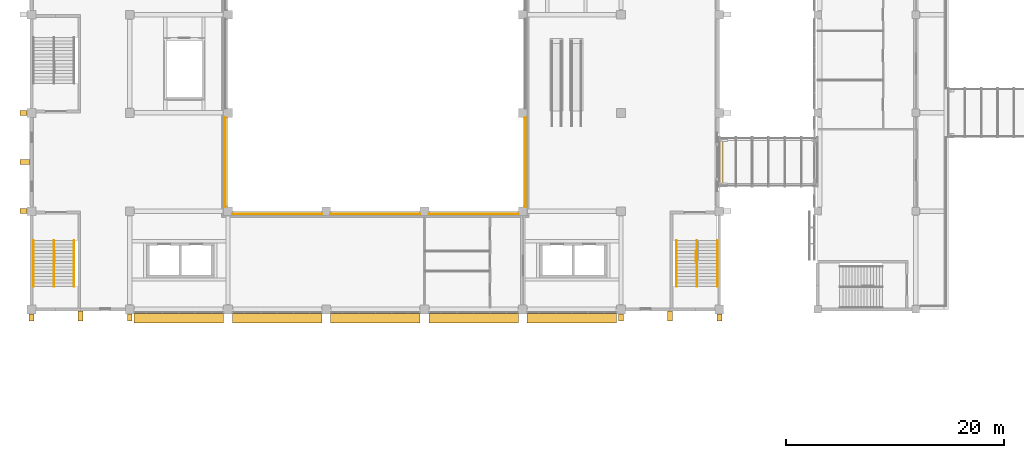
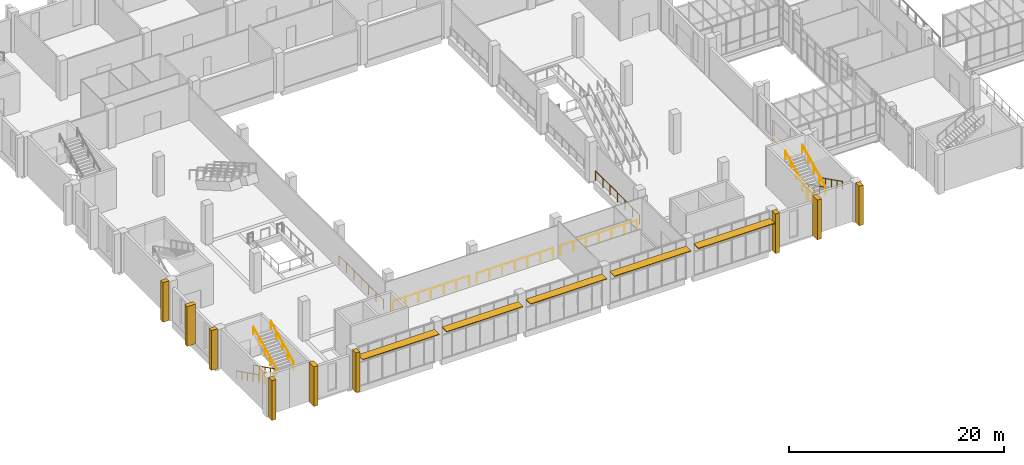
# One storey, part 96 of 106: 15 railings, 10 coverings, 5 shading devices.
"""IFC4 building model written with IfcOpenShell, lengths in metres."""

from ifc_helpers import new_model, si_unit, direction, frame, origin, origin_2d, place, context, subcontext, project, spatial, rectangle, circle, extrude, material, layer, layer_set, type_object, element, save


model = new_model("IFC4")

# Units and contexts
model_context = context("Model", 3, precision=1e-05, world=origin(), true_north=direction((0.0, 1.0)))
body_context = subcontext(model_context, "Body", "Model", "MODEL_VIEW")
ifc_project = project(units=[si_unit("LENGTHUNIT", "METRE"), si_unit("AREAUNIT", "SQUARE_METRE"), si_unit("VOLUMEUNIT", "CUBIC_METRE"), si_unit("PLANEANGLEUNIT", "RADIAN"), si_unit("MASSUNIT", "GRAM", prefix="KILO")], contexts=[model_context])

# Site, building, storey
site_placement = place(None, origin())
site = spatial("IfcSite", under=ifc_project, at=site_placement, CompositionType="ELEMENT")
building_placement = place(site_placement, origin())
building = spatial("IfcBuilding", under=site, at=building_placement, Name="Guidao Yard Department Store", CompositionType="ELEMENT")
storey_placement = place(building_placement, frame((0.0, 0.0, 10.5)))
storey = spatial("IfcBuildingStorey", under=building, at=storey_placement, Name="L02", CompositionType="ELEMENT", Elevation=10.5)

# Covering
ifc_material_1 = material(Name="Stainless steel 316", Category="steel")
ifc_layer_1 = layer(ifc_material_1, 0.010009765625)
ifc_layer_set_1 = layer_set([ifc_layer_1], Name="Bridge joint cover JC1 stainless steel 10 x 425")
covering_type_1 = type_object("IfcCoveringType", Name="Bridge joint cover JC1 stainless steel 10 x 425", PredefinedType="FLOORING", material=ifc_layer_set_1)
covering_1_placement = place(storey_placement, frame((63.112548828125, 58.5, 0.0), z_axis=(0.0, 0.0, 1.0), x_axis=(1.0, 0.0, 0.0)))
element("IfcCovering", 1, at=covering_1_placement, inside=storey, type_object=covering_type_1, Name="Bridge joint cover plate BR03", PredefinedType="FLOORING", context=body_context, shape_type="SweptSolid", body=[
    extrude(rectangle(XDim=0.425048828125, YDim=4.5, at=origin_2d()), origin(), (0.0, 0.0, 1.0), 0.010009765625),
])

# Railings
ifc_material_2 = material(Name="Steel Q235", Category="steel")
railing_type_1 = type_object("IfcRailingType", Name="Guard steel balustrade 1100", PredefinedType="GUARDRAIL", material=ifc_material_2)
for number, where, name in (
    (2, (60.875, 50.3701171875, 0.0), "Stair A2 guard L02 2"),
    (3, (2.125, 50.3701171875, 0.0), "Stair A8 guard L02 8"),
):
    element("IfcRailing", number, at=place(storey_placement, frame(where)), inside=storey, type_object=railing_type_1, Name=name, PredefinedType="GUARDRAIL", context=body_context, shape_type="SweptSolid", body=[
        extrude(circle(Radius=0.02392578125, at=origin_2d()), frame((0.0, 0.0, 1.076171875), z_axis=(0.0, -1.0, 0.0), x_axis=(1.0, 0.0, 0.0)), (0.0, 0.0, 1.0), 1.0),
        extrude(circle(Radius=0.02099609375, at=origin_2d()), origin(), (0.0, 0.0, 1.0), 1.052001953125),
        extrude(circle(Radius=0.02099609375, at=origin_2d()), frame((0.0, -1.0, 0.0)), (0.0, 0.0, 1.0), 1.052001953125),
    ])
for number, where, name in (
    (4, (18.39990234375, 53.75, 0.0), "Guard atrium S L02"),
    (5, (27.39990234375, 53.75, 0.0), "Guard atrium S L02"),
    (6, (36.39990234375, 53.75, 0.0), "Guard atrium S L02"),
):
    element("IfcRailing", number, at=place(storey_placement, frame(where)), inside=storey, type_object=railing_type_1, Name=name, PredefinedType="GUARDRAIL", context=body_context, shape_type="SweptSolid", body=[
        extrude(circle(Radius=0.02392578125, at=origin_2d()), frame((0.0, 0.0, 1.076171875), z_axis=(1.0, 0.0, 0.0), x_axis=(0.0, 1.0, 0.0)), (0.0, 0.0, 1.0), 8.2001953125),
        extrude(circle(Radius=0.02099609375, at=origin_2d()), origin(), (0.0, 0.0, 1.0), 1.052001953125),
        extrude(circle(Radius=0.02099609375, at=origin_2d()), frame((1.36669921875, 0.0, 0.0)), (0.0, 0.0, 1.0), 1.052001953125),
        extrude(circle(Radius=0.02099609375, at=origin_2d()), frame((2.7333984375, 0.0, 0.0)), (0.0, 0.0, 1.0), 1.052001953125),
        extrude(circle(Radius=0.02099609375, at=origin_2d()), frame((4.10009765625, 0.0, 0.0)), (0.0, 0.0, 1.0), 1.052001953125),
        extrude(circle(Radius=0.02099609375, at=origin_2d()), frame((5.466796875, 0.0, 0.0)), (0.0, 0.0, 1.0), 1.052001953125),
        extrude(circle(Radius=0.02099609375, at=origin_2d()), frame((6.83349609375, 0.0, 0.0)), (0.0, 0.0, 1.0), 1.052001953125),
        extrude(circle(Radius=0.02099609375, at=origin_2d()), frame((8.2001953125, 0.0, 0.0)), (0.0, 0.0, 1.0), 1.052001953125),
    ])
railing_1_placement = place(storey_placement, frame((45.25, 54.39990234375, 0.0)))
element("IfcRailing", 7, at=railing_1_placement, inside=storey, type_object=railing_type_1, Name="Guard atrium E L02", PredefinedType="GUARDRAIL", context=body_context, shape_type="SweptSolid", body=[
    extrude(circle(Radius=0.02392578125, at=origin_2d()), frame((0.0, 0.0, 1.076171875), z_axis=(0.0, 1.0, 0.0), x_axis=(-1.0, 0.0, 0.0)), (0.0, 0.0, 1.0), 8.2001953125),
    extrude(circle(Radius=0.02099609375, at=origin_2d()), origin(), (0.0, 0.0, 1.0), 1.052001953125),
    extrude(circle(Radius=0.02099609375, at=origin_2d()), frame((0.0, 1.36669921875, 0.0)), (0.0, 0.0, 1.0), 1.052001953125),
    extrude(circle(Radius=0.02099609375, at=origin_2d()), frame((0.0, 2.7333984375, 0.0)), (0.0, 0.0, 1.0), 1.052001953125),
    extrude(circle(Radius=0.02099609375, at=origin_2d()), frame((0.0, 4.10009765625, 0.0)), (0.0, 0.0, 1.0), 1.052001953125),
    extrude(circle(Radius=0.02099609375, at=origin_2d()), frame((0.0, 5.466796875, 0.0)), (0.0, 0.0, 1.0), 1.052001953125),
    extrude(circle(Radius=0.02099609375, at=origin_2d()), frame((0.0, 6.83349609375, 0.0)), (0.0, 0.0, 1.0), 1.052001953125),
    extrude(circle(Radius=0.02099609375, at=origin_2d()), frame((0.0, 8.2001953125, 0.0)), (0.0, 0.0, 1.0), 1.052001953125),
])
railing_2_placement = place(storey_placement, frame((17.75, 62.60009765625, 0.0)))
element("IfcRailing", 8, at=railing_2_placement, inside=storey, type_object=railing_type_1, Name="Guard atrium W L02", PredefinedType="GUARDRAIL", context=body_context, shape_type="SweptSolid", body=[
    extrude(circle(Radius=0.02392578125, at=origin_2d()), frame((0.0, 0.0, 1.076171875), z_axis=(0.0, -1.0, 0.0), x_axis=(1.0, 0.0, 0.0)), (0.0, 0.0, 1.0), 8.2001953125),
    extrude(circle(Radius=0.02099609375, at=origin_2d()), origin(), (0.0, 0.0, 1.0), 1.052001953125),
    extrude(circle(Radius=0.02099609375, at=origin_2d()), frame((0.0, -1.36669921875, 0.0)), (0.0, 0.0, 1.0), 1.052001953125),
    extrude(circle(Radius=0.02099609375, at=origin_2d()), frame((0.0, -2.7333984375, 0.0)), (0.0, 0.0, 1.0), 1.052001953125),
    extrude(circle(Radius=0.02099609375, at=origin_2d()), frame((0.0, -4.10009765625, 0.0)), (0.0, 0.0, 1.0), 1.052001953125),
    extrude(circle(Radius=0.02099609375, at=origin_2d()), frame((0.0, -5.466796875, 0.0)), (0.0, 0.0, 1.0), 1.052001953125),
    extrude(circle(Radius=0.02099609375, at=origin_2d()), frame((0.0, -6.83349609375, 0.0)), (0.0, 0.0, 1.0), 1.052001953125),
    extrude(circle(Radius=0.02099609375, at=origin_2d()), frame((0.0, -8.2001953125, 0.0)), (0.0, 0.0, 1.0), 1.052001953125),
])
ifc_material_3 = material(Name="Steel Q235", Category="steel")
railing_type_2 = type_object("IfcRailingType", Name="Handrail steel tube 48", PredefinedType="HANDRAIL", material=ifc_material_3)
for number, where, name in (
    (9, (62.81494140625, 51.300048828125, 0.14990234375), "Stair A2 hand rail L02 5"),
    (10, (60.949951171875, 51.300048828125, 0.14990234375), "Stair A2 hand rail L02 6"),
):
    element("IfcRailing", number, at=place(storey_placement, frame(where)), inside=storey, type_object=railing_type_2, Name=name, PredefinedType="HANDRAIL", context=body_context, shape_type="SweptSolid", body=[
        extrude(circle(Radius=0.02392578125, at=origin_2d()), frame((0.0, 0.0, 0.8759765625), z_axis=(0.0, -0.894416792377, 0.447234392142), x_axis=(1.0, 0.0, 0.0)), (0.0, 0.0, 1.0), 4.69580078125),
        extrude(circle(Radius=0.02099609375, at=origin_2d()), origin(), (0.0, 0.0, 1.0), 0.851806640625),
        extrude(circle(Radius=0.02099609375, at=origin_2d()), frame((0.0, -1.050048828125, 0.52490234375)), (0.0, 0.0, 1.0), 0.851806640625),
        extrude(circle(Radius=0.02099609375, at=origin_2d()), frame((0.0, -2.10009765625, 1.050048828125)), (0.0, 0.0, 1.0), 0.851806640625),
        extrude(circle(Radius=0.02099609375, at=origin_2d()), frame((0.0, -3.14990234375, 1.5751953125)), (0.0, 0.0, 1.0), 0.851806640625),
        extrude(circle(Radius=0.02099609375, at=origin_2d()), frame((0.0, -4.199951171875, 2.10009765625)), (0.0, 0.0, 1.0), 0.851806640625),
    ])
for number, where, name in (
    (11, (59.0849609375, 47.10009765625, 2.39990234375), "Stair A2 hand rail L02 7"),
    (12, (60.949951171875, 47.10009765625, 2.39990234375), "Stair A2 hand rail L02 8"),
):
    element("IfcRailing", number, at=place(storey_placement, frame(where)), inside=storey, type_object=railing_type_2, Name=name, PredefinedType="HANDRAIL", context=body_context, shape_type="SweptSolid", body=[
        extrude(circle(Radius=0.02392578125, at=origin_2d()), frame((0.0, 0.0, 0.8759765625), z_axis=(0.0, 0.894416792377, 0.447234392142), x_axis=(-1.0, 0.0, 0.0)), (0.0, 0.0, 1.0), 4.69580078125),
        extrude(circle(Radius=0.02099609375, at=origin_2d()), origin(), (0.0, 0.0, 1.0), 0.851806640625),
        extrude(circle(Radius=0.02099609375, at=origin_2d()), frame((0.0, 1.050048828125, 0.52490234375)), (0.0, 0.0, 1.0), 0.851806640625),
        extrude(circle(Radius=0.02099609375, at=origin_2d()), frame((0.0, 2.10009765625, 1.050048828125)), (0.0, 0.0, 1.0), 0.851806640625),
        extrude(circle(Radius=0.02099609375, at=origin_2d()), frame((0.0, 3.14990234375, 1.5751953125)), (0.0, 0.0, 1.0), 0.851806640625),
        extrude(circle(Radius=0.02099609375, at=origin_2d()), frame((0.0, 4.199951171875, 2.10009765625)), (0.0, 0.0, 1.0), 0.851806640625),
    ])
for number, where, name in (
    (13, (0.18505859375, 51.300048828125, 0.14990234375), "Stair A8 hand rail L02 29"),
    (14, (2.050048828125, 51.300048828125, 0.14990234375), "Stair A8 hand rail L02 30"),
):
    element("IfcRailing", number, at=place(storey_placement, frame(where)), inside=storey, type_object=railing_type_2, Name=name, PredefinedType="HANDRAIL", context=body_context, shape_type="SweptSolid", body=[
        extrude(circle(Radius=0.02392578125, at=origin_2d()), frame((0.0, 0.0, 0.8759765625), z_axis=(0.0, -0.894416792377, 0.447234392142), x_axis=(1.0, 0.0, 0.0)), (0.0, 0.0, 1.0), 4.69580078125),
        extrude(circle(Radius=0.02099609375, at=origin_2d()), origin(), (0.0, 0.0, 1.0), 0.851806640625),
        extrude(circle(Radius=0.02099609375, at=origin_2d()), frame((0.0, -1.050048828125, 0.52490234375)), (0.0, 0.0, 1.0), 0.851806640625),
        extrude(circle(Radius=0.02099609375, at=origin_2d()), frame((0.0, -2.10009765625, 1.050048828125)), (0.0, 0.0, 1.0), 0.851806640625),
        extrude(circle(Radius=0.02099609375, at=origin_2d()), frame((0.0, -3.14990234375, 1.5751953125)), (0.0, 0.0, 1.0), 0.851806640625),
        extrude(circle(Radius=0.02099609375, at=origin_2d()), frame((0.0, -4.199951171875, 2.10009765625)), (0.0, 0.0, 1.0), 0.851806640625),
    ])
for number, where, name in (
    (15, (3.9150390625, 47.10009765625, 2.39990234375), "Stair A8 hand rail L02 31"),
    (16, (2.050048828125, 47.10009765625, 2.39990234375), "Stair A8 hand rail L02 32"),
):
    element("IfcRailing", number, at=place(storey_placement, frame(where)), inside=storey, type_object=railing_type_2, Name=name, PredefinedType="HANDRAIL", context=body_context, shape_type="SweptSolid", body=[
        extrude(circle(Radius=0.02392578125, at=origin_2d()), frame((0.0, 0.0, 0.8759765625), z_axis=(0.0, 0.894416792377, 0.447234392142), x_axis=(-1.0, 0.0, 0.0)), (0.0, 0.0, 1.0), 4.69580078125),
        extrude(circle(Radius=0.02099609375, at=origin_2d()), origin(), (0.0, 0.0, 1.0), 0.851806640625),
        extrude(circle(Radius=0.02099609375, at=origin_2d()), frame((0.0, 1.050048828125, 0.52490234375)), (0.0, 0.0, 1.0), 0.851806640625),
        extrude(circle(Radius=0.02099609375, at=origin_2d()), frame((0.0, 2.10009765625, 1.050048828125)), (0.0, 0.0, 1.0), 0.851806640625),
        extrude(circle(Radius=0.02099609375, at=origin_2d()), frame((0.0, 3.14990234375, 1.5751953125)), (0.0, 0.0, 1.0), 0.851806640625),
        extrude(circle(Radius=0.02099609375, at=origin_2d()), frame((0.0, 4.199951171875, 2.10009765625)), (0.0, 0.0, 1.0), 0.851806640625),
    ])

# Coverings
ifc_material_4 = material(Name="Precast concrete C40/50", Category="concrete")
ifc_layer_2 = layer(ifc_material_4, 0.449951171875)
ifc_layer_set_2 = layer_set([ifc_layer_2], Name="Precast fin FN1 board-formed concrete")
covering_type_2 = type_object("IfcCoveringType", Name="Precast fin FN1 board-formed concrete", PredefinedType="CLADDING", material=ifc_layer_set_2)
covering_2_placement = place(storey_placement, frame((0.0, 44.27490234375, 0.0), z_axis=(0.0, 0.0, 1.0), x_axis=(-1.0, 0.0, 0.0)))
element("IfcCovering", 17, at=covering_2_placement, inside=storey, type_object=covering_type_2, Name="Precast fin", PredefinedType="CLADDING", context=body_context, shape_type="SweptSolid", body=[
    extrude(rectangle(XDim=0.449951171875, YDim=0.64990234375, at=origin_2d()), origin(), (0.0, 0.0, 1.0), 4.5),
])
covering_3_placement = place(storey_placement, frame((4.5, 44.39990234375, 0.0), z_axis=(0.0, 0.0, 1.0), x_axis=(-1.0, 0.0, 0.0)))
element("IfcCovering", 18, at=covering_3_placement, inside=storey, type_object=covering_type_2, Name="Precast fin", PredefinedType="CLADDING", context=body_context, shape_type="SweptSolid", body=[
    extrude(rectangle(XDim=0.449951171875, YDim=0.89990234375, at=origin_2d()), origin(), (0.0, 0.0, 1.0), 4.5),
])
for number, where, z_axis, x_axis, name in (
    (19, (9.0, 44.27490234375, 0.0), (0.0, 0.0, 1.0), (-1.0, 0.0, 0.0), "Precast fin"),
    (20, (54.0, 44.27490234375, 0.0), (0.0, 0.0, 1.0), (-1.0, 0.0, 0.0), "Precast fin"),
):
    element("IfcCovering", number, at=place(storey_placement, frame(where, z_axis=z_axis, x_axis=x_axis)), inside=storey, type_object=covering_type_2, Name=name, PredefinedType="CLADDING", context=body_context, shape_type="SweptSolid", body=[
        extrude(rectangle(XDim=0.449951171875, YDim=0.64990234375, at=origin_2d()), origin(), (0.0, 0.0, 1.0), 4.5),
    ])
covering_4_placement = place(storey_placement, frame((58.5, 44.39990234375, 0.0), z_axis=(0.0, 0.0, 1.0), x_axis=(-1.0, 0.0, 0.0)))
element("IfcCovering", 21, at=covering_4_placement, inside=storey, type_object=covering_type_2, Name="Precast fin", PredefinedType="CLADDING", context=body_context, shape_type="SweptSolid", body=[
    extrude(rectangle(XDim=0.449951171875, YDim=0.89990234375, at=origin_2d()), origin(), (0.0, 0.0, 1.0), 4.5),
])
for number, where, z_axis, x_axis, name in (
    (22, (63.0, 44.27490234375, 0.0), (0.0, 0.0, 1.0), (-1.0, 0.0, 0.0), "Precast fin"),
    (23, (-0.72509765625, 54.0, 0.0), (0.0, 0.0, 1.0), (0.0, 1.0, 0.0), "Precast fin"),
):
    element("IfcCovering", number, at=place(storey_placement, frame(where, z_axis=z_axis, x_axis=x_axis)), inside=storey, type_object=covering_type_2, Name=name, PredefinedType="CLADDING", context=body_context, shape_type="SweptSolid", body=[
        extrude(rectangle(XDim=0.449951171875, YDim=0.64990234375, at=origin_2d()), origin(), (0.0, 0.0, 1.0), 4.5),
    ])
covering_5_placement = place(storey_placement, frame((-0.60009765625, 58.5, 0.0), z_axis=(0.0, 0.0, 1.0), x_axis=(0.0, 1.0, 0.0)))
element("IfcCovering", 24, at=covering_5_placement, inside=storey, type_object=covering_type_2, Name="Precast fin", PredefinedType="CLADDING", context=body_context, shape_type="SweptSolid", body=[
    extrude(rectangle(XDim=0.449951171875, YDim=0.89990234375, at=origin_2d()), origin(), (0.0, 0.0, 1.0), 4.5),
])
covering_6_placement = place(storey_placement, frame((-0.72509765625, 63.0, 0.0), z_axis=(0.0, 0.0, 1.0), x_axis=(0.0, 1.0, 0.0)))
element("IfcCovering", 25, at=covering_6_placement, inside=storey, type_object=covering_type_2, Name="Precast fin", PredefinedType="CLADDING", context=body_context, shape_type="SweptSolid", body=[
    extrude(rectangle(XDim=0.449951171875, YDim=0.64990234375, at=origin_2d()), origin(), (0.0, 0.0, 1.0), 4.5),
])

# Shading devices
ifc_material_5 = material(Name="Aluminium 6063-T5", Category="aluminium")
ifc_layer_3 = layer(ifc_material_5, 0.080078125)
ifc_layer_set_3 = layer_set([ifc_layer_3], Name="Sunshade blade SB1 aluminium")
shading_device_type = type_object("IfcShadingDeviceType", Name="Sunshade blade SB1 aluminium", PredefinedType="SHUTTER", material=ifc_layer_set_3)
for number, where, z_axis, x_axis, name in (
    (26, (13.5, 44.18994140625, 3.599853515625), (0.0, 0.0, 1.0), (-1.0, 0.0, 0.0), "Sunshade blade"),
    (27, (22.5, 44.18994140625, 3.599853515625), (0.0, 0.0, 1.0), (-1.0, 0.0, 0.0), "Sunshade blade"),
    (28, (31.5, 44.18994140625, 3.599853515625), (0.0, 0.0, 1.0), (-1.0, 0.0, 0.0), "Sunshade blade"),
    (29, (40.5, 44.18994140625, 3.599853515625), (0.0, 0.0, 1.0), (-1.0, 0.0, 0.0), "Sunshade blade"),
    (30, (49.5, 44.18994140625, 3.599853515625), (0.0, 0.0, 1.0), (-1.0, 0.0, 0.0), "Sunshade blade"),
):
    element("IfcShadingDevice", number, at=place(storey_placement, frame(where, z_axis=z_axis, x_axis=x_axis)), inside=storey, type_object=shading_device_type, Name=name, PredefinedType="SHUTTER", context=body_context, shape_type="SweptSolid", body=[
        extrude(rectangle(XDim=8.199951171875, YDim=0.89990234375, at=origin_2d()), origin(), (0.0, 0.0, 1.0), 0.080078125),
    ])

save(model, "model.ifc")
